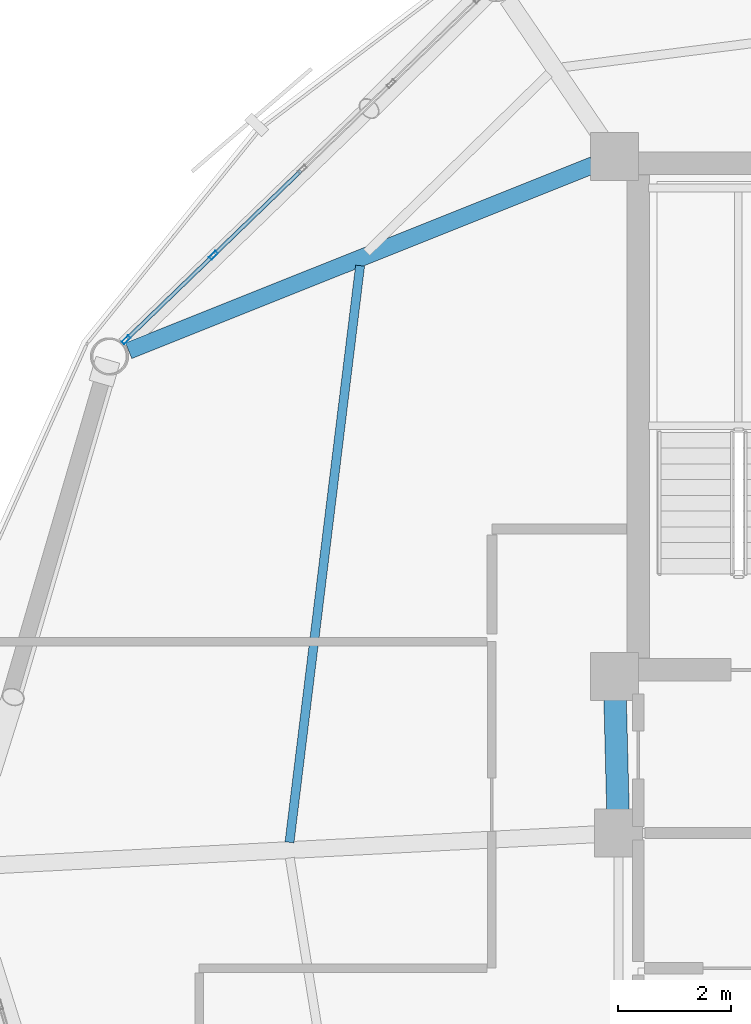
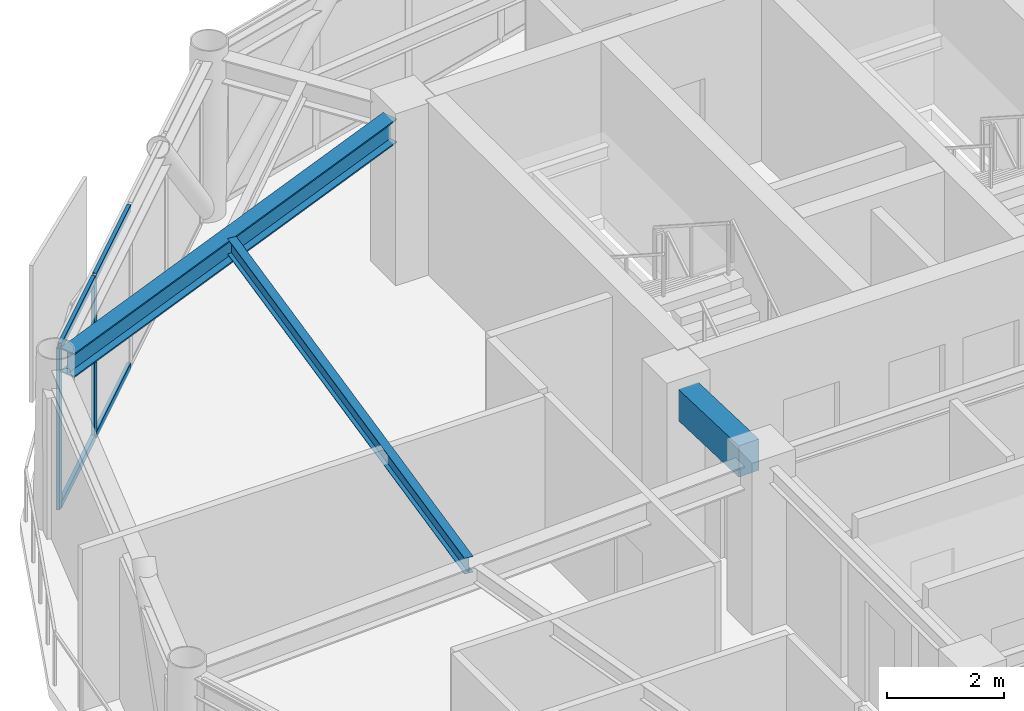
# One storey, part 12 of 28: 6 members, 3 beams, 1 element without a shape of its own.
"""IFC4 building model written with IfcOpenShell, lengths in metres."""

from ifc_helpers import new_model, si_unit, direction, frame, origin, origin_2d, place, context, subcontext, project, spatial, rectangle, hollow_rectangle, i_section, extrude, material, layer, layer_set, material_profile, profile_set, type_object, element, aggregate, save


model = new_model("IFC4")

# Units and contexts
model_context = context("Model", 3, precision=1e-05, world=origin(), true_north=direction((0.0, 1.0)))
body_context = subcontext(model_context, "Body", "Model", "MODEL_VIEW")
ifc_project = project(units=[si_unit("LENGTHUNIT", "METRE"), si_unit("AREAUNIT", "SQUARE_METRE"), si_unit("VOLUMEUNIT", "CUBIC_METRE"), si_unit("PLANEANGLEUNIT", "RADIAN"), si_unit("MASSUNIT", "GRAM", prefix="KILO")], contexts=[model_context])

# Site, building, storey
site_placement = place(None, origin())
site = spatial("IfcSite", under=ifc_project, at=site_placement, CompositionType="ELEMENT")
building_placement = place(site_placement, origin())
building = spatial("IfcBuilding", under=site, at=building_placement, Name="Varnakorn Sky Granary", CompositionType="ELEMENT")
storey_placement = place(building_placement, frame((0.0, 0.0, 225.60009765625)))
storey = spatial("IfcBuildingStorey", under=building, at=storey_placement, Name="L57", CompositionType="ELEMENT", Elevation=225.60009765625)

# Beams
ifc_material_1 = material(Name="Concrete C50/60", Category="concrete")
ifc_material_profile_1 = material_profile(ifc_material_1, rectangle(XDim=0.39990234375, YDim=0.64990234375, at=origin_2d()), Name="RC 400x650")
ifc_profile_set_1 = profile_set([ifc_material_profile_1], Name="Concrete C50/60")
beam_type_1 = type_object("IfcBeamType", Name="BM-LIN-650", PredefinedType="LINTEL", material=ifc_profile_set_1)
beam_1_placement = place(storey_placement, frame((-2.409912109375, 2.97509765625, 3.034912109375), z_axis=(0.025270737467, -0.99968064392, 0.0), x_axis=(0.99968064392, 0.025270737467, 0.0)))
element("IfcBeam", 1, at=beam_1_placement, inside=storey, type_object=beam_type_1, Name="Core Spine Framing Beam 1 L57", PredefinedType="LINTEL", context=body_context, shape_type="SweptSolid", body=[
    extrude(rectangle(XDim=0.39990234375, YDim=0.64990234375, at=origin_2d()), origin(), (0.0, 0.0, 1.0), 1.970947265625),
])
ifc_material_2 = material(Name="Steel S355JR", Category="steel")
ifc_material_profile_2 = material_profile(ifc_material_2, i_section(OverallWidth=0.300048828125, OverallDepth=0.5, WebThickness=0.014404296875, FlangeThickness=0.028076171875, at=origin_2d()), Name="HE 500 B")
ifc_profile_set_2 = profile_set([ifc_material_profile_2], Name="Steel S355JR")
beam_type_2 = type_object("IfcBeamType", Name="BM-RAD-Z4", PredefinedType="BEAM", material=ifc_profile_set_2)
beam_2_placement = place(storey_placement, frame((-2.796142578125, 12.4697265625, 3.10986328125), z_axis=(-0.928582714317, -0.371125507978, 0.0), x_axis=(0.371125507978, -0.928582714317, 0.0)))
element("IfcBeam", 2, at=beam_2_placement, inside=storey, type_object=beam_type_2, Name="Radial Floor Girder RG06 L57", PredefinedType="BEAM", context=body_context, shape_type="SweptSolid", body=[
    extrude(i_section(OverallWidth=0.300048828125, OverallDepth=0.5, WebThickness=0.014404296875, FlangeThickness=0.028076171875, at=origin_2d()), origin(), (0.0, 0.0, 1.0), 8.89013671875),
])
ifc_material_profile_3 = material_profile(ifc_material_2, i_section(OverallWidth=0.159912109375, OverallDepth=0.330078125, WebThickness=0.007568359375, FlangeThickness=0.011474609375, at=origin_2d()), Name="IPE 330")
ifc_profile_set_3 = profile_set([ifc_material_profile_3], Name="Steel S355JR")
beam_type_3 = type_object("IfcBeamType", Name="BM-SEC-Z4", PredefinedType="BEAM", material=ifc_profile_set_3)
beam_3_placement = place(storey_placement, frame((-6.940673828125, 10.68115234375, 3.19482421875), z_axis=(-0.121513129206, -0.992589824364, 0.0), x_axis=(0.992589824364, -0.121513129206, 0.0)))
element("IfcBeam", 3, at=beam_3_placement, inside=storey, type_object=beam_type_3, Name="Secondary Floor Chord Beam MSB06 L57", PredefinedType="BEAM", context=body_context, shape_type="SweptSolid", body=[
    extrude(i_section(OverallWidth=0.159912109375, OverallDepth=0.330078125, WebThickness=0.007568359375, FlangeThickness=0.011474609375, at=origin_2d()), origin(), (0.0, 0.0, 1.0), 10.321044921875),
])

# Curtain wall, members
ifc_material_3 = material(Name="Anodised Bronze Aluminium Alloy 6063-T6", Category="aluminium")
ifc_layer = layer(ifc_material_3, 0.169921875, Name="Anodised Bronze Aluminium Alloy 6063-T6")
ifc_layer_set = layer_set([ifc_layer], Name="Anodised Bronze Aluminium Alloy 6063-T6")
curtain_wall_type = type_object("IfcCurtainWallType", Name="CW-LAB-1", PredefinedType="USERDEFINED", material=ifc_layer_set)
curtain_wall_placement = place(storey_placement, origin())
curtain_wall = element("IfcCurtainWall", 4, at=curtain_wall_placement, inside=storey, type_object=curtain_wall_type, Name="Unitised Curtain Wall CW5 CW-L57-B05", ObjectType="CURTAIN WALL", PredefinedType="USERDEFINED")
ifc_material_profile_4 = material_profile(ifc_material_3, hollow_rectangle(XDim=0.06494140625, YDim=0.159912109375, WallThickness=0.00341796875, at=origin_2d()), Name="ALU MULL 65x160")
ifc_profile_set_4 = profile_set([ifc_material_profile_4], Name="Anodised Bronze Aluminium Alloy 6063-T6")
member_type_1 = type_object("IfcMemberType", Name="CW-LAB-1-MULL", PredefinedType="MULLION", material=ifc_profile_set_4)
member_1_placement = place(storey_placement, frame((-11.098876953125, 9.3642578125, 0.0), z_axis=(0.0, 0.0, 1.0), x_axis=(-0.695009134591, 0.719000906004, 0.0)))
member_1 = element("IfcMember", 5, at=member_1_placement, type_object=member_type_1, Name="CW5 mullion 1", PredefinedType="MULLION", context=body_context, shape_type="SweptSolid", body=[
    extrude(hollow_rectangle(XDim=0.06494140625, YDim=0.159912109375, WallThickness=0.00341796875, at=origin_2d()), origin(), (0.0, 0.0, 1.0), 3.35986328125),
])
member_2_placement = place(storey_placement, frame((-9.545166015625, 10.865966796875, 0.0), z_axis=(0.0, 0.0, 1.0), x_axis=(-0.695009134591, 0.719000906004, 0.0)))
member_2 = element("IfcMember", 6, at=member_2_placement, type_object=member_type_1, Name="CW5 mullion 2", PredefinedType="MULLION", context=body_context, shape_type="SweptSolid", body=[
    extrude(hollow_rectangle(XDim=0.06494140625, YDim=0.159912109375, WallThickness=0.00341796875, at=origin_2d()), origin(), (0.0, 0.0, 1.0), 3.35986328125),
])
ifc_material_profile_5 = material_profile(ifc_material_3, hollow_rectangle(XDim=0.070068359375, YDim=0.139892578125, WallThickness=0.00341796875, at=origin_2d()), Name="ALU TRAN 70x140")
ifc_profile_set_5 = profile_set([ifc_material_profile_5], Name="Anodised Bronze Aluminium Alloy 6063-T6")
member_type_2 = type_object("IfcMemberType", Name="CW-LAB-1-TRAN", PredefinedType="USERDEFINED", material=ifc_profile_set_5)
member_3_placement = place(storey_placement, frame((-11.07568359375, 9.38671875, 0.034912109375), z_axis=(0.71900195689, 0.695008047427, 0.0), x_axis=(-0.695008047427, 0.71900195689, 0.0)))
member_3 = element("IfcMember", 7, at=member_3_placement, type_object=member_type_2, Name="CW5 transom 1.1", ObjectType="TRANSOM", PredefinedType="USERDEFINED", context=body_context, shape_type="SweptSolid", body=[
    extrude(hollow_rectangle(XDim=0.070068359375, YDim=0.139892578125, WallThickness=0.00341796875, at=origin_2d()), origin(), (0.0, 0.0, 1.0), 2.09619140625),
])
member_4_placement = place(storey_placement, frame((-11.07568359375, 9.38671875, 3.324951171875), z_axis=(0.71900195689, 0.695008047427, 0.0), x_axis=(-0.695008047427, 0.71900195689, 0.0)))
member_4 = element("IfcMember", 8, at=member_4_placement, type_object=member_type_2, Name="CW5 transom 1.2", ObjectType="TRANSOM", PredefinedType="USERDEFINED", context=body_context, shape_type="SweptSolid", body=[
    extrude(hollow_rectangle(XDim=0.070068359375, YDim=0.139892578125, WallThickness=0.00341796875, at=origin_2d()), origin(), (0.0, 0.0, 1.0), 2.09619140625),
])
member_5_placement = place(storey_placement, frame((-9.521728515625, 10.888671875, 0.034912109375), z_axis=(0.718992197455, 0.695018143647, 0.0), x_axis=(-0.695018143647, 0.718992197455, 0.0)))
member_5 = element("IfcMember", 9, at=member_5_placement, type_object=member_type_2, Name="CW5 transom 2.1", ObjectType="TRANSOM", PredefinedType="USERDEFINED", context=body_context, shape_type="SweptSolid", body=[
    extrude(hollow_rectangle(XDim=0.070068359375, YDim=0.139892578125, WallThickness=0.00341796875, at=origin_2d()), origin(), (0.0, 0.0, 1.0), 2.12841796875),
])
member_6_placement = place(storey_placement, frame((-9.521728515625, 10.888671875, 3.324951171875), z_axis=(0.718992197455, 0.695018143647, 0.0), x_axis=(-0.695018143647, 0.718992197455, 0.0)))
member_6 = element("IfcMember", 10, at=member_6_placement, type_object=member_type_2, Name="CW5 transom 2.2", ObjectType="TRANSOM", PredefinedType="USERDEFINED", context=body_context, shape_type="SweptSolid", body=[
    extrude(hollow_rectangle(XDim=0.070068359375, YDim=0.139892578125, WallThickness=0.00341796875, at=origin_2d()), origin(), (0.0, 0.0, 1.0), 2.12841796875),
])
aggregate(curtain_wall, [member_1, member_2, member_3, member_4, member_5, member_6])

save(model, "model.ifc")
